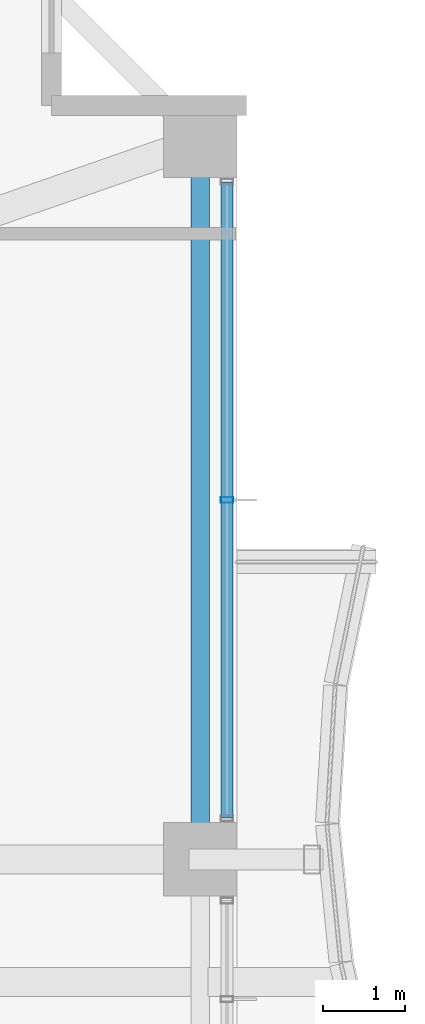
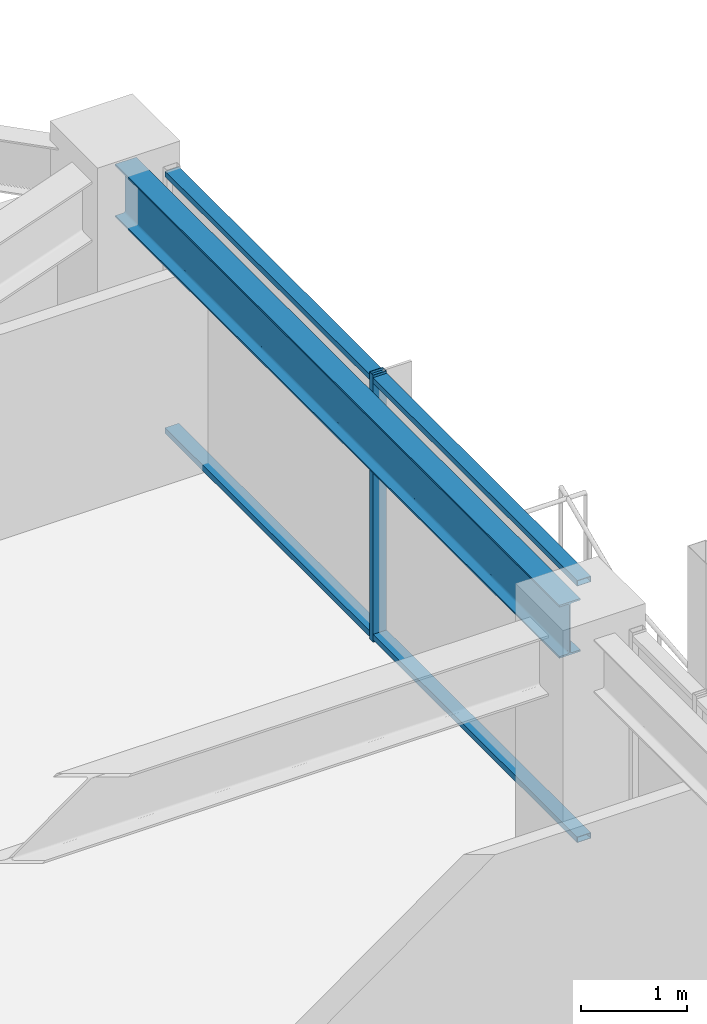
# One storey, part 16 of 35: 3 members, 1 beam, 1 element without a shape of its own.
"""IFC4 building model written with IfcOpenShell, lengths in metres."""

from ifc_helpers import new_model, si_unit, direction, frame, origin, origin_2d, place, context, subcontext, project, spatial, hollow_rectangle, i_section, extrude, material, material_profile, profile_set, type_object, element, aggregate, save


model = new_model("IFC4")

# Units and contexts
model_context = context("Model", 3, precision=1e-05, world=origin(), true_north=direction((0.0, 1.0)))
body_context = subcontext(model_context, "Body", "Model", "MODEL_VIEW")
ifc_project = project(units=[si_unit("LENGTHUNIT", "METRE"), si_unit("AREAUNIT", "SQUARE_METRE"), si_unit("VOLUMEUNIT", "CUBIC_METRE"), si_unit("PLANEANGLEUNIT", "RADIAN"), si_unit("MASSUNIT", "GRAM", prefix="KILO")], contexts=[model_context])

# Site, building, storey
site_placement = place(None, origin())
site = spatial("IfcSite", under=ifc_project, at=site_placement, CompositionType="ELEMENT")
building_placement = place(site_placement, origin())
building = spatial("IfcBuilding", under=site, at=building_placement, Name="Kolvaren Belvedere", CompositionType="ELEMENT")
storey_placement = place(building_placement, frame((0.0, 0.0, 183.300048828125)))
storey = spatial("IfcBuildingStorey", under=building, at=storey_placement, Name="L53", CompositionType="ELEMENT", Elevation=183.300048828125)

# Beam
ifc_material_1 = material(Name="Structural steel ASTM A992 Grade 50", Category="steel")
ifc_material_profile_1 = material_profile(ifc_material_1, i_section(OverallWidth=0.22900390625, OverallDepth=0.612060546875, WebThickness=0.011962890625, FlangeThickness=0.01953125, FilletRadius=0.01806640625, at=origin_2d()), Name="W24X84")
ifc_profile_set_1 = profile_set([ifc_material_profile_1], Name="Structural steel ASTM A992 Grade 50")
beam_type = type_object("IfcBeamType", Name="BM-SPAN-W24X84", PredefinedType="SPANDREL", material=ifc_profile_set_1)
beam_placement = place(storey_placement, frame((19.949951171875, 4.802490234375, 2.77392578125), z_axis=(0.0, 1.0, 0.0), x_axis=(-1.0, 0.0, 0.0)))
element("IfcBeam", 1, at=beam_placement, inside=storey, type_object=beam_type, Name="L53 Perimeter Spandrel E3-E4", PredefinedType="SPANDREL", context=body_context, shape_type="SweptSolid", body=[
    extrude(i_section(OverallWidth=0.22900390625, OverallDepth=0.612060546875, WebThickness=0.011962890625, FlangeThickness=0.01953125, FilletRadius=0.01806640625, at=origin_2d()), origin(), (0.0, 0.0, 1.0), 8.39501953125),
])

# Curtain wall, members
ifc_material_2 = material(Name="Anodised pale-metal aluminium AA 6063-T6", Category="aluminium")
curtain_wall_type = type_object("IfcCurtainWallType", Name="CW-Z5-HIGH", PredefinedType="NOTDEFINED", material=ifc_material_2)
curtain_wall_placement = place(storey_placement, origin())
curtain_wall = element("IfcCurtainWall", 2, at=curtain_wall_placement, inside=storey, type_object=curtain_wall_type, Name="L53 Unitised Curtain Wall FCW-L53-E1-B1", PredefinedType="NOTDEFINED")
ifc_material_3 = material(Name="Anodised pale-metal aluminium AA 6063-T6", Category="aluminium")
ifc_material_profile_2 = material_profile(ifc_material_3, hollow_rectangle(XDim=0.070068359375, YDim=0.14990234375, WallThickness=0.004150390625, at=origin_2d()), Name="ALU-MUL-150X70")
ifc_profile_set_2 = profile_set([ifc_material_profile_2], Name="Anodised pale-metal aluminium AA 6063-T6")
member_type_1 = type_object("IfcMemberType", Name="CW-MUL-150", PredefinedType="MULLION", material=ifc_profile_set_2)
member_1_placement = place(storey_placement, frame((20.280029296875, 9.0, 0.0), z_axis=(0.0, 0.0, 1.0), x_axis=(0.0, 1.0, 0.0)))
member_1 = element("IfcMember", 3, at=member_1_placement, type_object=member_type_1, Name="FCW-L53-E1-B1 Unitised Mullion 2", PredefinedType="MULLION", context=body_context, shape_type="SweptSolid", body=[
    extrude(hollow_rectangle(XDim=0.070068359375, YDim=0.14990234375, WallThickness=0.004150390625, at=origin_2d()), origin(), (0.0, 0.0, 1.0), 3.079833984375),
])
ifc_material_4 = material(Name="Anodised pale-metal aluminium AA 6063-T6", Category="aluminium")
ifc_material_profile_3 = material_profile(ifc_material_4, hollow_rectangle(XDim=0.06494140625, YDim=0.14990234375, WallThickness=0.00390625, at=origin_2d()), Name="ALU-TRN-150X65")
ifc_profile_set_3 = profile_set([ifc_material_profile_3], Name="Anodised pale-metal aluminium AA 6063-T6")
member_type_2 = type_object("IfcMemberType", Name="CW-TRN-150", PredefinedType="USERDEFINED", material=ifc_profile_set_3)
member_2_placement = place(storey_placement, frame((20.280029296875, 12.89501953125, 0.06005859375), z_axis=(0.0, -1.0, 0.0), x_axis=(0.0, 0.0, 1.0)))
member_2 = element("IfcMember", 4, at=member_2_placement, type_object=member_type_2, Name="FCW-L53-E1-B1 Sill Transom", ObjectType="TRANSOM", PredefinedType="USERDEFINED", context=body_context, shape_type="SweptSolid", body=[
    extrude(hollow_rectangle(XDim=0.06494140625, YDim=0.14990234375, WallThickness=0.00390625, at=origin_2d()), origin(), (0.0, 0.0, 1.0), 7.7900390625),
])
member_3_placement = place(storey_placement, frame((20.280029296875, 12.89501953125, 3.02001953125), z_axis=(0.0, -1.0, 0.0), x_axis=(0.0, 0.0, 1.0)))
member_3 = element("IfcMember", 5, at=member_3_placement, type_object=member_type_2, Name="FCW-L53-E1-B1 Head Transom", ObjectType="TRANSOM", PredefinedType="USERDEFINED", context=body_context, shape_type="SweptSolid", body=[
    extrude(hollow_rectangle(XDim=0.06494140625, YDim=0.14990234375, WallThickness=0.00390625, at=origin_2d()), origin(), (0.0, 0.0, 1.0), 7.7900390625),
])
aggregate(curtain_wall, [member_1, member_2, member_3])

save(model, "model.ifc")
